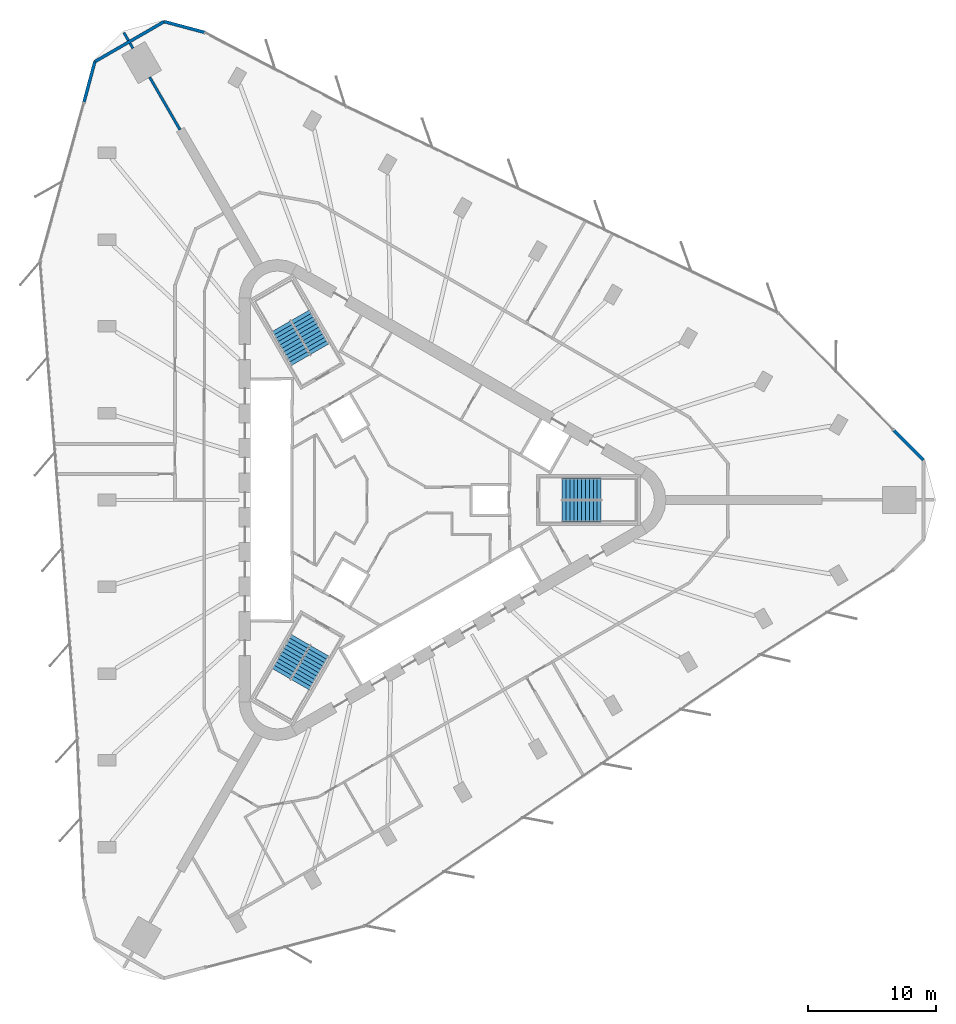
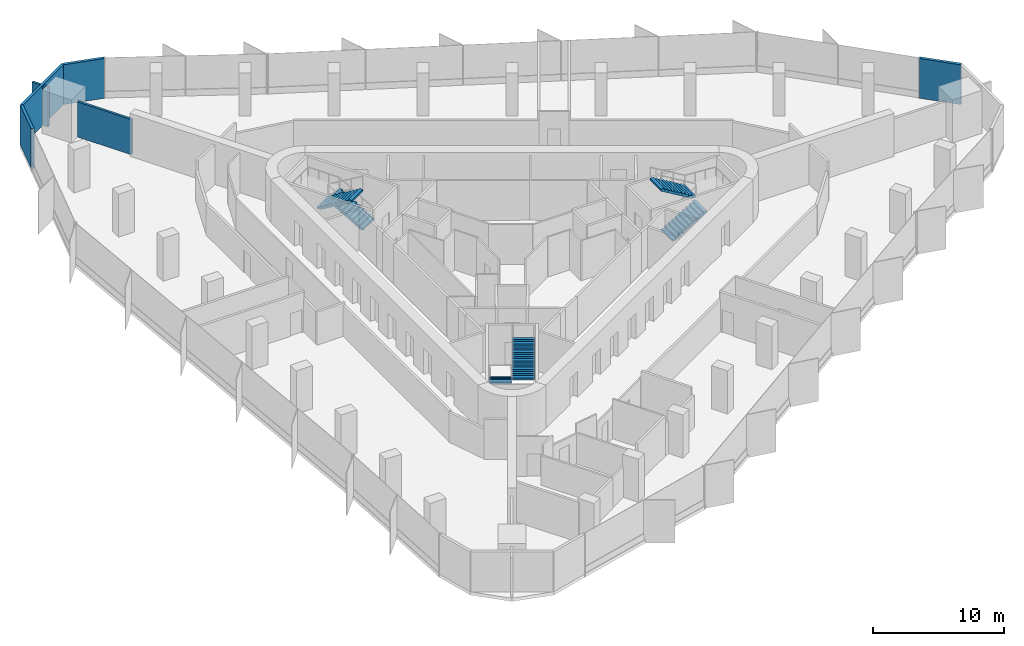
# One storey, part 12 of 13: 7 walls, 6 stair flights, 3 elements without a shape of their own.
"""IFC4 building model written with IfcOpenShell, lengths in metres."""

from ifc_helpers import new_model, si_unit, direction, frame, frame_2d, origin, place, context, subcontext, project, spatial, polyline, rectangle, outline, extrude, material, layer, layer_set, type_object, element, aggregate, save


model = new_model("IFC4")

# Units and contexts
model_context = context("Model", 3, precision=1e-05, world=origin(), true_north=direction((0.0, 1.0)))
body_context = subcontext(model_context, "Body", "Model", "MODEL_VIEW")
ifc_project = project(units=[si_unit("LENGTHUNIT", "METRE"), si_unit("AREAUNIT", "SQUARE_METRE"), si_unit("VOLUMEUNIT", "CUBIC_METRE"), si_unit("PLANEANGLEUNIT", "RADIAN"), si_unit("MASSUNIT", "GRAM", prefix="KILO")], contexts=[model_context])

# Site, building, storey
site_placement = place(None, origin())
site = spatial("IfcSite", under=ifc_project, at=site_placement, CompositionType="ELEMENT")
building_placement = place(site_placement, origin())
building = spatial("IfcBuilding", under=site, at=building_placement, Name="Tanit Gate Tower", CompositionType="ELEMENT")
storey_placement = place(building_placement, frame((0.0, 0.0, 189.199951171875)))
storey = spatial("IfcBuildingStorey", under=building, at=storey_placement, Name="L41", CompositionType="ELEMENT", Elevation=189.199951171875)

# Walls
ifc_material_1 = material(Name="Concrete C30/37 with bronze anodised aluminium cladding", Category="concrete")
ifc_layer_1 = layer(ifc_material_1, 0.239990234375)
ifc_layer_set_1 = layer_set([ifc_layer_1], Name="Facade wall bronze clad 240")
wall_type_1 = type_object("IfcWallType", Name="Facade wall bronze clad 240", PredefinedType="SOLIDWALL", material=ifc_layer_set_1)
wall_1_placement = place(storey_placement, frame((-14.79296875, 36.479248046875, 0.0), z_axis=(0.0, 0.0, 1.0), x_axis=(-0.965934328549, 0.258787312151, 0.0)))
element("IfcWall", 1, at=wall_1_placement, inside=storey, type_object=wall_type_1, Name="Bronze-clad facade wall L41 NW.arc1", PredefinedType="SOLIDWALL", context=body_context, shape_type="SweptSolid", body=[
    extrude(rectangle(XDim=3.255615234375, YDim=0.239990234375, at=frame_2d((1.6279296875, 0.0))), origin(), (0.0, 0.0, 1.0), 3.699951171875),
])
wall_2_placement = place(storey_placement, frame((-17.937744140625, 37.32177734375, 0.0), z_axis=(0.0, 0.0, 1.0), x_axis=(-0.866019130722, -0.500010865105, 0.0)))
element("IfcWall", 2, at=wall_2_placement, inside=storey, type_object=wall_type_1, Name="Bronze-clad facade wall L41 NW.arc2", PredefinedType="SOLIDWALL", context=body_context, shape_type="SweptSolid", body=[
    extrude(rectangle(XDim=6.252685546875, YDim=0.239990234375, at=frame_2d((3.12646484375, 0.0))), origin(), (0.0, 0.0, 1.0), 3.699951171875),
])
wall_3_placement = place(storey_placement, frame((-23.352783203125, 34.1953125, 0.0), z_axis=(0.0, 0.0, 1.0), x_axis=(-0.258843094037, -0.965919382076, 0.0)))
element("IfcWall", 3, at=wall_3_placement, inside=storey, type_object=wall_type_1, Name="Bronze-clad facade wall L41 NW.arc3", PredefinedType="SOLIDWALL", context=body_context, shape_type="SweptSolid", body=[
    extrude(rectangle(XDim=3.26904296875, YDim=0.239990234375, at=frame_2d((1.634521484375, 0.0))), origin(), (0.0, 0.0, 1.0), 3.699951171875),
])
wall_4_placement = place(storey_placement, frame((41.29052734375, 3.12646484375, 0.0), z_axis=(0.0, 0.0, 1.0), x_axis=(-0.707106781187, 0.707106781187, 0.0)))
element("IfcWall", 4, at=wall_4_placement, inside=storey, type_object=wall_type_1, Name="Bronze-clad facade wall L41 E.arc3", PredefinedType="SOLIDWALL", context=body_context, shape_type="SweptSolid", body=[
    extrude(rectangle(XDim=3.269287109375, YDim=0.239990234375, at=frame_2d((1.634765625, 0.0))), origin(), (0.0, 0.0, 1.0), 3.699951171875),
])
ifc_material_2 = material(Name="Fire-rated gypsum board partition")
ifc_layer_2 = layer(ifc_material_2, 0.199951171875)
ifc_layer_set_2 = layer_set([ifc_layer_2], Name="INT-WALL-COMPARTMENT")
wall_type_2 = type_object("IfcWallType", Name="INT-WALL-COMPARTMENT", PredefinedType="PARTITIONING", material=ifc_layer_set_2)
wall_5_placement = place(storey_placement, frame((-21.0859375, 36.462158203125, 0.0), z_axis=(0.0, 0.0, 1.0), x_axis=(0.499801860585, -0.866139769411, 0.0)))
element("IfcWall", 5, at=wall_5_placement, inside=storey, type_object=wall_type_2, Name="Wall Compartment W117", PredefinedType="PARTITIONING", context=body_context, shape_type="SweptSolid", body=[
    extrude(rectangle(XDim=0.709716796875, YDim=0.199951171875, at=frame_2d((0.35498046875, 0.0))), origin(), (0.0, 0.0, 1.0), 3.699951171875),
])
wall_6_placement = place(storey_placement, frame((-20.611083984375, 35.6396484375, 0.0), z_axis=(0.0, 0.0, 1.0), x_axis=(0.499842898591, -0.866116087328, 0.0)))
element("IfcWall", 6, at=wall_6_placement, inside=storey, type_object=wall_type_2, Name="Wall Compartment W117x1", PredefinedType="PARTITIONING", context=body_context, shape_type="SweptSolid", body=[
    extrude(rectangle(XDim=0.468017578125, YDim=0.199951171875, at=frame_2d((0.23388671875, 0.0))), origin(), (0.0, 0.0, 1.0), 3.699951171875),
])
wall_7_placement = place(storey_placement, frame((-19.0771484375, 32.982666015625, 0.0), z_axis=(0.0, 0.0, 1.0), x_axis=(0.499978475836, -0.86603783041, 0.0)))
element("IfcWall", 7, at=wall_7_placement, inside=storey, type_object=wall_type_2, Name="Wall Compartment W118", PredefinedType="PARTITIONING", context=body_context, shape_type="SweptSolid", body=[
    extrude(rectangle(XDim=4.732666015625, YDim=0.199951171875, at=frame_2d((2.3662109375, 0.0))), origin(), (0.0, 0.0, 1.0), 3.27001953125),
])

# Stair, stair flights
ifc_material_3 = material(Name="Concrete C40/50", Category="concrete")
stair_type = type_object("IfcStairType", Name="INT-STAIR-EXIT", PredefinedType="HALF_TURN_STAIR", material=ifc_material_3)
stair_1_placement = place(storey_placement, origin())
stair_1 = element("IfcStair", 8, at=stair_1_placement, inside=storey, type_object=stair_type, Name="L41 STAIR S1", PredefinedType="HALF_TURN_STAIR")
ifc_material_4 = material(Name="Concrete C40/50", Category="concrete")
stair_flight_type = type_object("IfcStairFlightType", Name="INT-STAIR-FLIGHT", PredefinedType="STRAIGHT", material=ifc_material_4)
stair_flight_1_placement = place(storey_placement, frame((13.094970703125, -0.8525390625, 0.0), z_axis=(0.0, 0.0, 1.0), x_axis=(1.0, 0.0, 0.0)))
stair_flight_1 = element("IfcStairFlight", 9, at=stair_flight_1_placement, type_object=stair_flight_type, Name="S1 flight 1", NumberOfRisers=11, NumberOfTreads=10, PredefinedType="STRAIGHT", RiserHeight=0.181818182, TreadLength=0.3051, context=body_context, shape_type="SweptSolid", body=[
    extrude(outline(polyline([(0.0, 0.0), (0.0, 0.181884765625), (0.30517578125, 0.181884765625), (0.30517578125, 0.363525390625), (0.610107421875, 0.363525390625), (0.610107421875, 0.54541015625), (0.915283203125, 0.54541015625), (0.915283203125, 0.727294921875), (1.220458984375, 0.727294921875), (1.220458984375, 0.9091796875), (1.525390625, 0.9091796875), (1.525390625, 1.0908203125), (1.83056640625, 1.0908203125), (1.83056640625, 1.272705078125), (2.1357421875, 1.272705078125), (2.1357421875, 1.45458984375), (2.44091796875, 1.45458984375), (2.44091796875, 1.636474609375), (2.745849609375, 1.636474609375), (2.745849609375, 1.818115234375), (3.051025390625, 1.818115234375), (3.051025390625, 2.0), (3.051025390625, 1.643798828125), (0.292724609375, 0.0), (0.0, 0.0)])), frame((0.0, 0.84765625, 0.0), z_axis=(0.0, -1.0, 0.0), x_axis=(1.0, 0.0, 0.0)), (0.0, 0.0, 1.0), 1.695068359375),
])
stair_flight_2_placement = place(storey_placement, frame((16.14599609375, 0.8525390625, 2.0), z_axis=(0.0, 0.0, 1.0), x_axis=(-1.0, 0.0, 0.0)))
stair_flight_2 = element("IfcStairFlight", 10, at=stair_flight_2_placement, type_object=stair_flight_type, Name="S1 flight 2", NumberOfRisers=11, NumberOfTreads=10, PredefinedType="STRAIGHT", RiserHeight=0.181818182, TreadLength=0.3051, context=body_context, shape_type="SweptSolid", body=[
    extrude(outline(polyline([(0.0, 0.0), (0.0, 0.181884765625), (0.30517578125, 0.181884765625), (0.30517578125, 0.363525390625), (0.610107421875, 0.363525390625), (0.610107421875, 0.54541015625), (0.915283203125, 0.54541015625), (0.915283203125, 0.727294921875), (1.220458984375, 0.727294921875), (1.220458984375, 0.9091796875), (1.525390625, 0.9091796875), (1.525390625, 1.0908203125), (1.83056640625, 1.0908203125), (1.83056640625, 1.272705078125), (2.1357421875, 1.272705078125), (2.1357421875, 1.45458984375), (2.44091796875, 1.45458984375), (2.44091796875, 1.636474609375), (2.745849609375, 1.636474609375), (2.745849609375, 1.818115234375), (3.051025390625, 1.818115234375), (3.051025390625, 2.0), (3.051025390625, 1.643798828125), (0.292724609375, 0.0), (0.0, 0.0)])), frame((0.0, 0.84765625, 0.0), z_axis=(0.0, -1.0, 0.0), x_axis=(1.0, 0.0, 0.0)), (0.0, 0.0, 1.0), 1.695068359375),
])
aggregate(stair_1, [stair_flight_1, stair_flight_2])

stair_2_placement = place(storey_placement, origin())
stair_2 = element("IfcStair", 11, at=stair_2_placement, inside=storey, type_object=stair_type, Name="L41 STAIR S2", PredefinedType="HALF_TURN_STAIR")
stair_flight_3_placement = place(storey_placement, frame((-5.808349609375, 11.766357421875, 0.0), z_axis=(0.0, 0.0, 1.0), x_axis=(-0.5, 0.866025403784, 0.0)))
stair_flight_3 = element("IfcStairFlight", 12, at=stair_flight_3_placement, type_object=stair_flight_type, Name="S2 flight 1", NumberOfRisers=11, NumberOfTreads=10, PredefinedType="STRAIGHT", RiserHeight=0.181818182, TreadLength=0.30492, context=body_context, shape_type="SweptSolid", body=[
    extrude(outline(polyline([(0.0, 0.0), (0.0, 0.181884765625), (0.304931640625, 0.181884765625), (0.304931640625, 0.363525390625), (0.60986328125, 0.363525390625), (0.60986328125, 0.54541015625), (0.914794921875, 0.54541015625), (0.914794921875, 0.727294921875), (1.2197265625, 0.727294921875), (1.2197265625, 0.9091796875), (1.524658203125, 0.9091796875), (1.524658203125, 1.0908203125), (1.82958984375, 1.0908203125), (1.82958984375, 1.272705078125), (2.134521484375, 1.272705078125), (2.134521484375, 1.45458984375), (2.439453125, 1.45458984375), (2.439453125, 1.636474609375), (2.744384765625, 1.636474609375), (2.744384765625, 1.818115234375), (3.04931640625, 1.818115234375), (3.04931640625, 2.0), (3.04931640625, 1.6435546875), (0.292724609375, 0.0), (0.0, 0.0)])), frame((0.0, 0.84716796875, 0.0), z_axis=(0.0, -1.0, 0.0), x_axis=(1.0, 0.0, 0.0)), (0.0, 0.0, 1.0), 1.694091796875),
])
stair_flight_4_placement = place(storey_placement, frame((-8.810302734375, 13.553955078125, 2.0), z_axis=(0.0, 0.0, 1.0), x_axis=(0.5, -0.866025403784, 0.0)))
stair_flight_4 = element("IfcStairFlight", 13, at=stair_flight_4_placement, type_object=stair_flight_type, Name="S2 flight 2", NumberOfRisers=11, NumberOfTreads=10, PredefinedType="STRAIGHT", RiserHeight=0.181818182, TreadLength=0.30492, context=body_context, shape_type="SweptSolid", body=[
    extrude(outline(polyline([(0.0, 0.0), (0.0, 0.181884765625), (0.304931640625, 0.181884765625), (0.304931640625, 0.363525390625), (0.60986328125, 0.363525390625), (0.60986328125, 0.54541015625), (0.914794921875, 0.54541015625), (0.914794921875, 0.727294921875), (1.2197265625, 0.727294921875), (1.2197265625, 0.9091796875), (1.524658203125, 0.9091796875), (1.524658203125, 1.0908203125), (1.82958984375, 1.0908203125), (1.82958984375, 1.272705078125), (2.134521484375, 1.272705078125), (2.134521484375, 1.45458984375), (2.439453125, 1.45458984375), (2.439453125, 1.636474609375), (2.744384765625, 1.636474609375), (2.744384765625, 1.818115234375), (3.04931640625, 1.818115234375), (3.04931640625, 2.0), (3.04931640625, 1.6435546875), (0.292724609375, 0.0), (0.0, 0.0)])), frame((0.0, 0.84716796875, 0.0), z_axis=(0.0, -1.0, 0.0), x_axis=(1.0, 0.0, 0.0)), (0.0, 0.0, 1.0), 1.694091796875),
])
aggregate(stair_2, [stair_flight_3, stair_flight_4])

stair_3_placement = place(storey_placement, origin())
stair_3 = element("IfcStair", 14, at=stair_3_placement, inside=storey, type_object=stair_type, Name="L41 STAIR S3", PredefinedType="HALF_TURN_STAIR")
stair_flight_5_placement = place(storey_placement, frame((-7.285888671875, -10.914306640625, 0.0), z_axis=(0.0, 0.0, 1.0), x_axis=(-0.5, -0.866025403784, 0.0)))
stair_flight_5 = element("IfcStairFlight", 15, at=stair_flight_5_placement, type_object=stair_flight_type, Name="S3 flight 1", NumberOfRisers=11, NumberOfTreads=10, PredefinedType="STRAIGHT", RiserHeight=0.181818182, TreadLength=0.3051, context=body_context, shape_type="SweptSolid", body=[
    extrude(outline(polyline([(0.0, 0.0), (0.0, 0.181884765625), (0.30517578125, 0.181884765625), (0.30517578125, 0.363525390625), (0.610107421875, 0.363525390625), (0.610107421875, 0.54541015625), (0.915283203125, 0.54541015625), (0.915283203125, 0.727294921875), (1.220458984375, 0.727294921875), (1.220458984375, 0.9091796875), (1.525390625, 0.9091796875), (1.525390625, 1.0908203125), (1.83056640625, 1.0908203125), (1.83056640625, 1.272705078125), (2.1357421875, 1.272705078125), (2.1357421875, 1.45458984375), (2.44091796875, 1.45458984375), (2.44091796875, 1.636474609375), (2.745849609375, 1.636474609375), (2.745849609375, 1.818115234375), (3.051025390625, 1.818115234375), (3.051025390625, 2.0), (3.051025390625, 1.643798828125), (0.292724609375, 0.0), (0.0, 0.0)])), frame((0.0, 0.84765625, 0.0), z_axis=(0.0, -1.0, 0.0), x_axis=(1.0, 0.0, 0.0)), (0.0, 0.0, 1.0), 1.695068359375),
])
stair_flight_6_placement = place(storey_placement, frame((-7.334716796875, -14.4091796875, 2.0), z_axis=(0.0, 0.0, 1.0), x_axis=(0.5, 0.866025403784, 0.0)))
stair_flight_6 = element("IfcStairFlight", 16, at=stair_flight_6_placement, type_object=stair_flight_type, Name="S3 flight 2", NumberOfRisers=11, NumberOfTreads=10, PredefinedType="STRAIGHT", RiserHeight=0.181818182, TreadLength=0.3051, context=body_context, shape_type="SweptSolid", body=[
    extrude(outline(polyline([(0.0, 0.0), (0.0, 0.181884765625), (0.30517578125, 0.181884765625), (0.30517578125, 0.363525390625), (0.610107421875, 0.363525390625), (0.610107421875, 0.54541015625), (0.915283203125, 0.54541015625), (0.915283203125, 0.727294921875), (1.220458984375, 0.727294921875), (1.220458984375, 0.9091796875), (1.525390625, 0.9091796875), (1.525390625, 1.0908203125), (1.83056640625, 1.0908203125), (1.83056640625, 1.272705078125), (2.1357421875, 1.272705078125), (2.1357421875, 1.45458984375), (2.44091796875, 1.45458984375), (2.44091796875, 1.636474609375), (2.745849609375, 1.636474609375), (2.745849609375, 1.818115234375), (3.051025390625, 1.818115234375), (3.051025390625, 2.0), (3.051025390625, 1.643798828125), (0.292724609375, 0.0), (0.0, 0.0)])), frame((0.0, 0.84765625, 0.0), z_axis=(0.0, -1.0, 0.0), x_axis=(1.0, 0.0, 0.0)), (0.0, 0.0, 1.0), 1.695068359375),
])
aggregate(stair_3, [stair_flight_5, stair_flight_6])

save(model, "model.ifc")
